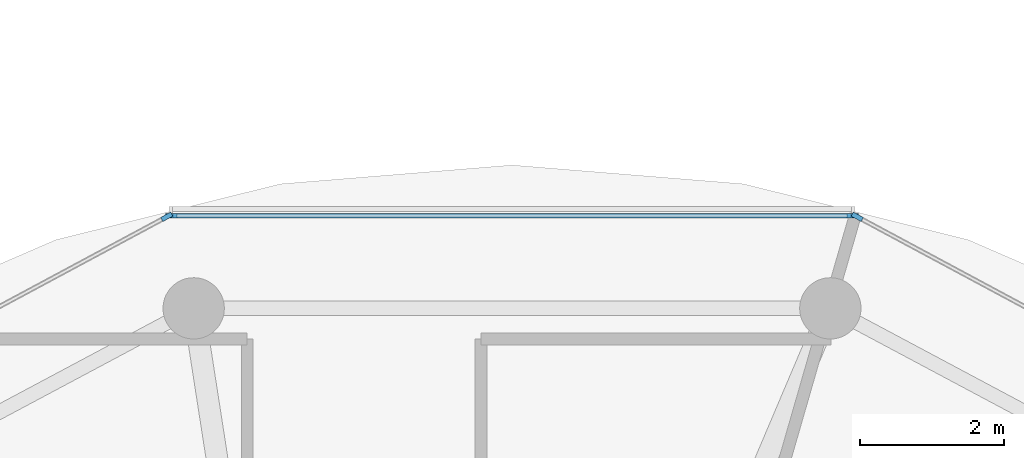
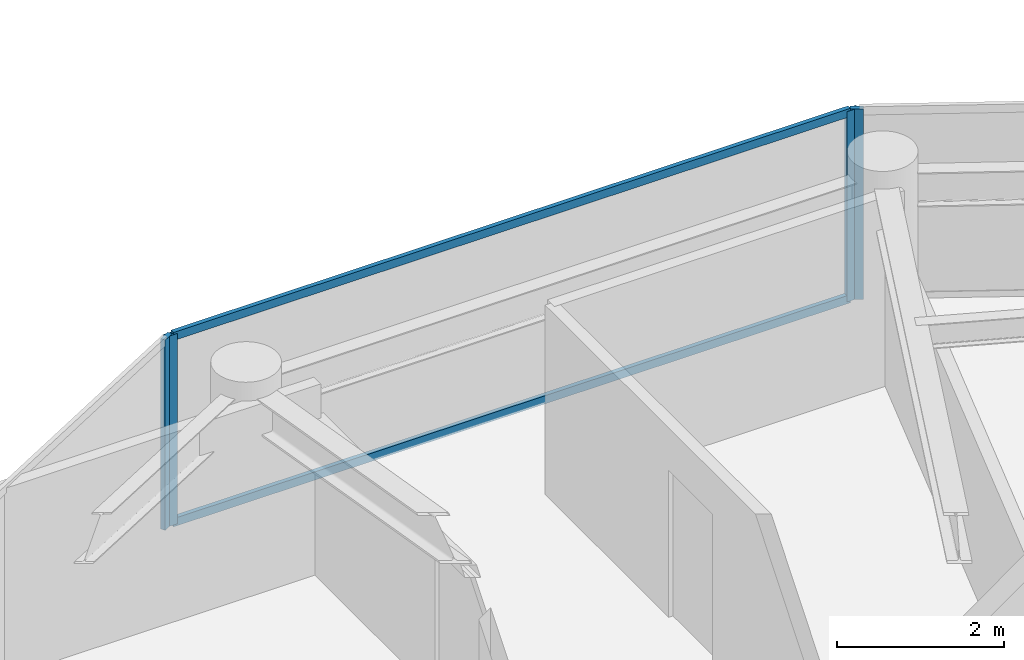
# One storey, part 9 of 22: 6 members, 3 elements without a shape of their own.
"""IFC4 building model written with IfcOpenShell, lengths in metres."""

from ifc_helpers import new_model, si_unit, direction, frame, origin, origin_2d, place, context, subcontext, project, spatial, rectangle, extrude, source, transform, mapped, material, layer, layer_set, material_profile, profile_set, type_object, type_shapes, element, aggregate, save


model = new_model("IFC4")

# Units and contexts
model_context = context("Model", 3, precision=1e-05, world=origin(), true_north=direction((0.0, 1.0)))
body_context = subcontext(model_context, "Body", "Model", "MODEL_VIEW")
ifc_project = project(units=[si_unit("LENGTHUNIT", "METRE"), si_unit("AREAUNIT", "SQUARE_METRE"), si_unit("VOLUMEUNIT", "CUBIC_METRE"), si_unit("PLANEANGLEUNIT", "RADIAN"), si_unit("MASSUNIT", "GRAM", prefix="KILO")], contexts=[model_context])

# Site, building, storey
site_placement = place(None, origin())
site = spatial("IfcSite", under=ifc_project, at=site_placement, CompositionType="ELEMENT")
building_placement = place(site_placement, origin())
building = spatial("IfcBuilding", under=site, at=building_placement, Name="Norrkilde Senior Care Towers", CompositionType="ELEMENT")
storey_placement = place(building_placement, frame((0.0, 0.0, 123.699951171875)))
storey = spatial("IfcBuildingStorey", under=building, at=storey_placement, Name="L38", CompositionType="ELEMENT", Elevation=123.699951171875)

# Curtain wall, member
ifc_material_1 = material(Name="Triple Low-E Insulated Glazing", Category="glass")
ifc_layer = layer(ifc_material_1, 0.195068359375)
ifc_layer_set = layer_set([ifc_layer], Name="Triple Low-E Insulated Glazing")
curtain_wall_type = type_object("IfcCurtainWallType", Name="CW3 Zone 2 Assisted Living Curtain Wall", PredefinedType="NOTDEFINED", material=ifc_layer_set)
curtain_wall_1_placement = place(storey_placement, origin())
curtain_wall_1 = element("IfcCurtainWall", 1, at=curtain_wall_1_placement, inside=storey, type_object=curtain_wall_type, Name="L38 Drum W Curtain Wall 01", PredefinedType="NOTDEFINED")
ifc_material_2 = material(Name="Anodised Aluminium", Category="aluminium")
ifc_material_profile_1 = material_profile(ifc_material_2, rectangle(XDim=0.06494140625, YDim=0.159912109375, at=origin_2d()), Name="ALU MULL 65x160")
ifc_profile_set_1 = profile_set([ifc_material_profile_1], Name="Anodised Aluminium")
member_type_1 = type_object("IfcMemberType", Name="Curtain Wall Mullion Z1-Z2 65x160", PredefinedType="MULLION", material=ifc_profile_set_1)
shared_shape_1 = source(origin(), body_context, "Body", "SweptSolid", [
    extrude(rectangle(XDim=0.06494140625, YDim=0.159912109375, at=origin_2d()), origin(), (0.0, 0.0, 1.0), 2.7900390625),
])
type_shapes(member_type_1, [shared_shape_1])
member_1_placement = place(storey_placement, frame((-21.164306640625, 16.482666015625, 0.0), z_axis=(0.0, 0.0, 1.0), x_axis=(0.472769402511, 0.881186184668, 0.0)))
member_1 = element("IfcMember", 2, at=member_1_placement, type_object=member_type_1, Name="CW-3 mullion 1", PredefinedType="MULLION", context=body_context, shape_type="MappedRepresentation", body=[
    mapped(shared_shape_1, transform((0.0, 0.0, 0.0), x_axis=(1.0, 0.0, 0.0), y_axis=(0.0, 1.0, 0.0), z_axis=(0.0, 0.0, 1.0), scale=1.0)),
])
aggregate(curtain_wall_1, [member_1])

# Curtain wall, members
curtain_wall_2_placement = place(storey_placement, origin())
curtain_wall_2 = element("IfcCurtainWall", 3, at=curtain_wall_2_placement, inside=storey, type_object=curtain_wall_type, Name="L38 Drum W Curtain Wall 02", PredefinedType="NOTDEFINED")
member_2_placement = place(storey_placement, frame((-30.674560546875, 16.498046875, 0.0), z_axis=(0.0, 0.0, 1.0), x_axis=(0.0, 1.0, 0.0)))
member_2 = element("IfcMember", 4, at=member_2_placement, type_object=member_type_1, Name="CW-3 mullion 1", PredefinedType="MULLION", context=body_context, shape_type="MappedRepresentation", body=[
    mapped(shared_shape_1, transform((0.0, 0.0, 0.0), x_axis=(1.0, 0.0, 0.0), y_axis=(0.0, 1.0, 0.0), z_axis=(0.0, 0.0, 1.0), scale=1.0)),
])
member_3_placement = place(storey_placement, frame((-21.225341796875, 16.498046875, 0.0), z_axis=(0.0, 0.0, 1.0), x_axis=(0.0, 1.0, 0.0)))
member_3 = element("IfcMember", 5, at=member_3_placement, type_object=member_type_1, Name="CW-3 mullion 2", PredefinedType="MULLION", context=body_context, shape_type="MappedRepresentation", body=[
    mapped(shared_shape_1, transform((0.0, 0.0, 0.0), x_axis=(1.0, 0.0, 0.0), y_axis=(0.0, 1.0, 0.0), z_axis=(0.0, 0.0, 1.0), scale=1.0)),
])

# Curtain wall, member
curtain_wall_3_placement = place(storey_placement, origin())
curtain_wall_3 = element("IfcCurtainWall", 6, at=curtain_wall_3_placement, inside=storey, type_object=curtain_wall_type, Name="L38 Drum W Curtain Wall 03", PredefinedType="NOTDEFINED")
member_4_placement = place(storey_placement, frame((-30.73583984375, 16.482666015625, 0.0), z_axis=(0.0, 0.0, 1.0), x_axis=(-0.472769402511, 0.881186184668, 0.0)))
member_4 = element("IfcMember", 7, at=member_4_placement, type_object=member_type_1, Name="CW-3 mullion 2", PredefinedType="MULLION", context=body_context, shape_type="MappedRepresentation", body=[
    mapped(shared_shape_1, transform((0.0, 0.0, 0.0), x_axis=(1.0, 0.0, 0.0), y_axis=(0.0, 1.0, 0.0), z_axis=(0.0, 0.0, 1.0), scale=1.0)),
])
aggregate(curtain_wall_3, [member_4])

# Member
ifc_material_profile_2 = material_profile(ifc_material_2, rectangle(XDim=0.06005859375, YDim=0.1201171875, at=origin_2d()), Name="ALU TRAN 60x120")
ifc_profile_set_2 = profile_set([ifc_material_profile_2], Name="Anodised Aluminium")
member_type_2 = type_object("IfcMemberType", Name="Curtain Wall Transom Typical 60x120", PredefinedType="USERDEFINED", material=ifc_profile_set_2)
shared_shape_2 = source(origin(), body_context, "Body", "SweptSolid", [
    extrude(rectangle(XDim=0.06005859375, YDim=0.1201171875, at=origin_2d()), origin(), (0.0, 0.0, 1.0), 9.38427734375),
])
type_shapes(member_type_2, [shared_shape_2])
member_5_placement = place(storey_placement, frame((-30.64208984375, 16.498046875, 0.030029296875), z_axis=(1.0, 0.0, 0.0), x_axis=(0.0, 1.0, 0.0)))
member_5 = element("IfcMember", 8, at=member_5_placement, type_object=member_type_2, Name="CW-3 transom 1.1", ObjectType="TRANSOM", PredefinedType="USERDEFINED", context=body_context, shape_type="MappedRepresentation", body=[
    mapped(shared_shape_2, transform((0.0, 0.0, 0.0), x_axis=(1.0, 0.0, 0.0), y_axis=(0.0, 1.0, 0.0), z_axis=(0.0, 0.0, 1.0), scale=1.0)),
])

member_6_placement = place(storey_placement, frame((-30.64208984375, 16.498046875, 2.760009765625), z_axis=(1.0, 0.0, 0.0), x_axis=(0.0, 1.0, 0.0)))
member_6 = element("IfcMember", 9, at=member_6_placement, type_object=member_type_2, Name="CW-3 transom 1.2", ObjectType="TRANSOM", PredefinedType="USERDEFINED", context=body_context, shape_type="MappedRepresentation", body=[
    mapped(shared_shape_2, transform((0.0, 0.0, 0.0), x_axis=(1.0, 0.0, 0.0), y_axis=(0.0, 1.0, 0.0), z_axis=(0.0, 0.0, 1.0), scale=1.0)),
])

aggregate(curtain_wall_2, [member_2, member_3, member_5, member_6])

save(model, "model.ifc")
